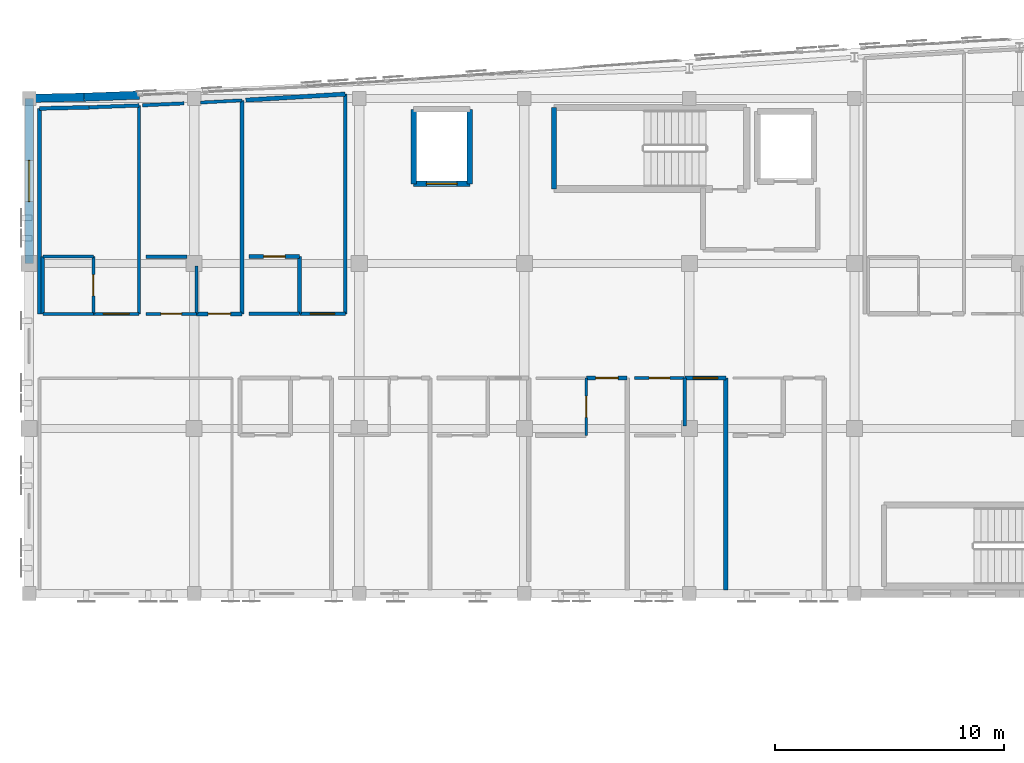
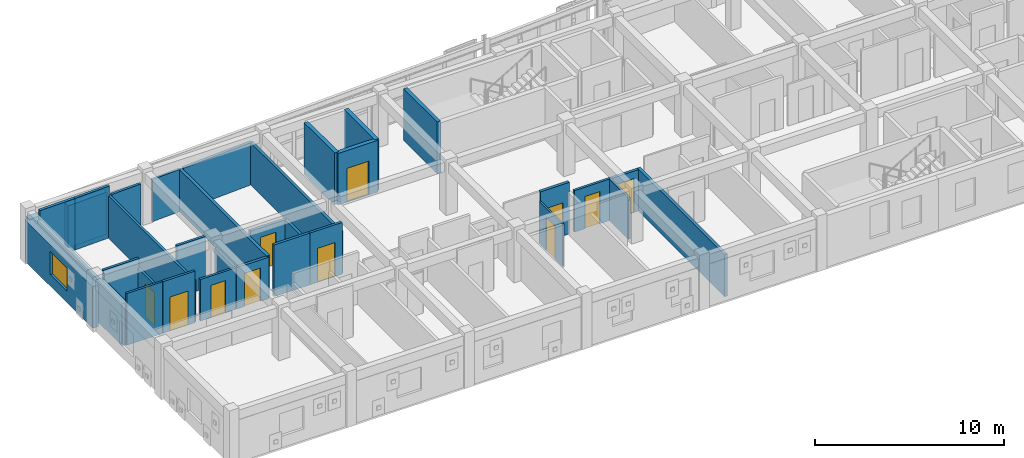
# One storey, part 38 of 50: 35 walls, 11 doors, 1 window, 12 openings.
"""IFC4 building model written with IfcOpenShell, lengths in metres."""

from ifc_helpers import new_model, si_unit, direction, frame, frame_2d, origin, place, context, subcontext, project, spatial, rectangle, extrude, material, layer, layer_set, type_object, element, fill, save


model = new_model("IFC4")

# Units and contexts
model_context = context("Model", 3, precision=1e-05, world=origin(), true_north=direction((0.0, 1.0)))
body_context = subcontext(model_context, "Body", "Model", "MODEL_VIEW")
ifc_project = project(units=[si_unit("LENGTHUNIT", "METRE"), si_unit("AREAUNIT", "SQUARE_METRE"), si_unit("VOLUMEUNIT", "CUBIC_METRE"), si_unit("PLANEANGLEUNIT", "RADIAN"), si_unit("MASSUNIT", "GRAM", prefix="KILO")], contexts=[model_context])

# Site, building, storey
site_placement = place(None, origin())
site = spatial("IfcSite", under=ifc_project, at=site_placement, CompositionType="ELEMENT")
building_placement = place(site_placement, origin())
building = spatial("IfcBuilding", under=site, at=building_placement, Name="Carrowvane Square Congress Hotel", CompositionType="ELEMENT")
storey_placement = place(building_placement, frame((0.0, 0.0, 22.800048828125)))
storey = spatial("IfcBuildingStorey", under=building, at=storey_placement, Name="L05", CompositionType="ELEMENT", Elevation=22.800048828125)

# Walls
ifc_material_1 = material(Name="Glazed terracotta rainscreen", Category="masonry")
ifc_layer_1 = layer(ifc_material_1, 0.360107421875)
ifc_layer_set_1 = layer_set([ifc_layer_1], Name="Glazed terracotta rainscreen")
wall_type_1 = type_object("IfcWallType", Name="WL-EXT-TC360", PredefinedType="STANDARD", material=ifc_layer_set_1)
wall_1_placement = place(storey_placement, frame((33.199951171875, 113.39990234375, 0.0), z_axis=(0.0, 0.0, 1.0), x_axis=(0.999767568547, 0.021559426766, 0.0)))
element("IfcWall", 1, at=wall_1_placement, inside=storey, type_object=wall_type_1, Name="L05 exterior facade wall 451", PredefinedType="STANDARD", context=body_context, shape_type="SweptSolid", body=[
    extrude(rectangle(XDim=2.400634765625, YDim=0.360107421875, at=frame_2d((1.2001953125, 0.0))), origin(), (0.0, 0.0, 1.0), 2.73486328125),
])
wall_2_placement = place(storey_placement, frame((35.60009765625, 113.45166015625, 0.0), z_axis=(0.0, 0.0, 1.0), x_axis=(0.99930757318, 0.037207179225, 0.0)))
element("IfcWall", 2, at=wall_2_placement, inside=storey, type_object=wall_type_1, Name="L05 exterior facade wall 452", PredefinedType="STANDARD", context=body_context, shape_type="SweptSolid", body=[
    extrude(rectangle(XDim=2.401611328125, YDim=0.360107421875, at=frame_2d((1.20068359375, 0.0))), origin(), (0.0, 0.0, 1.0), 2.73486328125),
])

# Wall, opening, window
wall_3_placement = place(storey_placement, frame((33.199951171875, 106.199951171875, 0.0), z_axis=(0.0, 0.0, 1.0), x_axis=(0.0, 1.0, 0.0)))
wall_3 = element("IfcWall", 3, at=wall_3_placement, inside=storey, type_object=wall_type_1, Name="L05 exterior facade wall 478", PredefinedType="STANDARD", context=body_context, shape_type="SweptSolid", body=[
    extrude(rectangle(XDim=7.199951171875, YDim=0.360107421875, at=frame_2d((3.60009765625, 0.0))), origin(), (0.0, 0.0, 1.0), 2.68505859375),
])
opening_1_placement = place(wall_3_placement, frame((2.699951171875, 0.0, 0.75)))
opening_1 = element("IfcOpeningElement", 4, at=opening_1_placement, cuts=wall_3, Name="Opening W-16", PredefinedType="OPENING", context=body_context, shape_type="SweptSolid", body=[
    extrude(rectangle(XDim=1.800048828125, YDim=1.5, at=frame_2d((0.89990234375, 0.75))), frame((0.0, 0.18994140625, 0.0), z_axis=(0.0, -1.0, 0.0), x_axis=(1.0, 0.0, 0.0)), (0.0, 0.0, 1.0), 0.380126953125),
])
ifc_material_2 = material(Name="Double-glazed low-E glass", Category="glass")
window_type = type_object("IfcWindowType", Name="WIN-16", PartitioningType="SINGLE_PANEL", PredefinedType="WINDOW", material=ifc_material_2)
window_placement = place(opening_1_placement, origin())
window = element("IfcWindow", 5, at=window_placement, inside=storey, type_object=window_type, Name="L05 facade window 312", OverallHeight=1.5, OverallWidth=1.800048828125, PartitioningType="SINGLE_PANEL", PredefinedType="WINDOW", context=body_context, shape_type="SweptSolid", body=[
    extrude(rectangle(XDim=1.800048828125, YDim=1.5, at=frame_2d((0.89990234375, 0.75))), frame((0.0, 0.030029296875, 0.0), z_axis=(0.0, -1.0, 0.0), x_axis=(1.0, 0.0, 0.0)), (0.0, 0.0, 1.0), 0.06005859375),
])
fill(opening_1, window)

# Walls
ifc_material_3 = material(Name="Acoustic gypsum board", Category="gypsum")
ifc_layer_2 = layer(ifc_material_3, 0.155029296875)
ifc_layer_set_2 = layer_set([ifc_layer_2], Name="Acoustic gypsum board")
wall_type_2 = type_object("IfcWallType", Name="WL-FIR-155", PredefinedType="PARTITIONING", material=ifc_layer_set_2)
wall_4_placement = place(storey_placement, frame((33.800048828125, 104.0, 0.0), z_axis=(0.0, 0.0, 1.0), x_axis=(0.0, 1.0, 0.0)))
element("IfcWall", 6, at=wall_4_placement, inside=storey, type_object=wall_type_2, Name="L05 En-suite Bathroom 0513 partition", PredefinedType="PARTITIONING", context=body_context, shape_type="SweptSolid", body=[
    extrude(rectangle(XDim=2.5, YDim=0.155029296875, at=frame_2d((1.25, 0.0))), origin(), (0.0, 0.0, 1.0), 2.73486328125),
])
wall_5_placement = place(storey_placement, frame((35.820068359375, 113.010009765625, 0.0), z_axis=(0.0, 0.0, 1.0), x_axis=(0.999311441164, 0.037103147568, 0.0)))
element("IfcWall", 7, at=wall_5_placement, inside=storey, type_object=wall_type_2, Name="L05 Parkview Guest Bedroom 0513 partition", PredefinedType="PARTITIONING", context=body_context, shape_type="SweptSolid", body=[
    extrude(rectangle(XDim=2.17138671875, YDim=0.155029296875, at=frame_2d((1.085693359375, 0.0))), origin(), (0.0, 0.0, 1.0), 3.349853515625),
])
wall_6_placement = place(storey_placement, frame((38.300048828125, 106.5, 0.0), z_axis=(0.0, 0.0, 1.0), x_axis=(1.0, 0.0, 0.0)))
element("IfcWall", 8, at=wall_6_placement, inside=storey, type_object=wall_type_2, Name="L05 En-suite Bathroom 0514 partition", PredefinedType="PARTITIONING", context=body_context, shape_type="SweptSolid", body=[
    extrude(rectangle(XDim=1.7900390625, YDim=0.155029296875, at=frame_2d((0.89501953125, 0.0))), origin(), (0.0, 0.0, 1.0), 3.349853515625),
])
wall_7_placement = place(storey_placement, frame((45.0, 104.0, 0.0), z_axis=(0.0, 0.0, 1.0), x_axis=(-1.0, 0.0, 0.0)))
element("IfcWall", 9, at=wall_7_placement, inside=storey, type_object=wall_type_2, Name="L05 En-suite Bathroom 0515 partition", PredefinedType="PARTITIONING", context=body_context, shape_type="SweptSolid", body=[
    extrude(rectangle(XDim=2.199951171875, YDim=0.155029296875, at=frame_2d((1.10009765625, 0.0))), origin(), (0.0, 0.0, 1.0), 3.349853515625),
])

# Wall, opening, door
wall_8_placement = place(storey_placement, frame((46.989990234375, 104.0, 0.0), z_axis=(0.0, 0.0, 1.0), x_axis=(-1.0, 0.0, 0.0)))
wall_8 = element("IfcWall", 10, at=wall_8_placement, inside=storey, type_object=wall_type_2, Name="L05 Parkview Guest Bedroom 0515 partition", PredefinedType="PARTITIONING", context=body_context, shape_type="SweptSolid", body=[
    extrude(rectangle(XDim=1.97998046875, YDim=0.155029296875, at=frame_2d((0.989990234375, 0.0))), origin(), (0.0, 0.0, 1.0), 3.349853515625),
])
opening_2_placement = place(wall_8_placement, frame((0.4599609375, 0.0, 0.0)))
opening_2 = element("IfcOpeningElement", 11, at=opening_2_placement, cuts=wall_8, Name="Opening FD-09", PredefinedType="OPENING", context=body_context, shape_type="SweptSolid", body=[
    extrude(rectangle(XDim=1.06005859375, YDim=2.199951171875, at=frame_2d((0.530029296875, 1.10009765625))), frame((0.0, 0.08740234375, 0.0), z_axis=(0.0, -1.0, 0.0), x_axis=(1.0, 0.0, 0.0)), (0.0, 0.0, 1.0), 0.175048828125),
])
ifc_material_4 = material(Name="European oak timber", Category="wood")
door_type_1 = type_object("IfcDoorType", Name="DR-FD30-1060x2200", OperationType="NOTDEFINED", PredefinedType="DOOR", material=ifc_material_4)
door_1_placement = place(opening_2_placement, origin())
door_1 = element("IfcDoor", 12, at=door_1_placement, inside=storey, type_object=door_type_1, Name="L05 Parkview Guest Bedroom 0515 entrance door", OperationType="SINGLE_SWING_RIGHT", OverallHeight=2.199951171875, OverallWidth=1.06005859375, PredefinedType="DOOR", context=body_context, shape_type="SweptSolid", body=[
    extrude(rectangle(XDim=1.06005859375, YDim=2.199951171875, at=frame_2d((0.530029296875, 1.10009765625))), frame((0.0, 0.02490234375, 0.0), z_axis=(0.0, -1.0, 0.0), x_axis=(1.0, 0.0, 0.0)), (0.0, 0.0, 1.0), 0.050048828125),
])
fill(opening_2, door_1)

ifc_material_5 = material(Name="Acoustic gypsum board", Category="gypsum")
ifc_layer_3 = layer(ifc_material_5, 0.169921875)
ifc_layer_set_3 = layer_set([ifc_layer_3], Name="Acoustic gypsum board")
wall_type_3 = type_object("IfcWallType", Name="WL-FIR-170", PredefinedType="PARTITIONING", material=ifc_layer_set_3)
wall_9_placement = place(storey_placement, frame((57.510009765625, 101.199951171875, 0.0), z_axis=(0.0, 0.0, 1.0), x_axis=(1.0, 0.0, 0.0)))
wall_9 = element("IfcWall", 13, at=wall_9_placement, inside=storey, type_object=wall_type_3, Name="L05 Hotel Guest Bedroom 0504 partition", PredefinedType="PARTITIONING", context=body_context, shape_type="SweptSolid", body=[
    extrude(rectangle(XDim=1.780029296875, YDim=0.169921875, at=frame_2d((0.89013671875, 0.0))), origin(), (0.0, 0.0, 1.0), 3.349853515625),
])
opening_3_placement = place(wall_9_placement, frame((0.39990234375, 0.0, 0.0)))
opening_3 = element("IfcOpeningElement", 14, at=opening_3_placement, cuts=wall_9, Name="Opening FD-07", PredefinedType="OPENING", context=body_context, shape_type="SweptSolid", body=[
    extrude(rectangle(XDim=0.97998046875, YDim=2.14990234375, at=frame_2d((0.489990234375, 1.074951171875))), frame((0.0, 0.094970703125, 0.0), z_axis=(0.0, -1.0, 0.0), x_axis=(1.0, 0.0, 0.0)), (0.0, 0.0, 1.0), 0.18994140625),
])
ifc_material_6 = material(Name="European oak timber", Category="wood")
door_type_2 = type_object("IfcDoorType", Name="DR-FD30-0980x2150", OperationType="NOTDEFINED", PredefinedType="DOOR", material=ifc_material_6)
door_2_placement = place(opening_3_placement, origin())
door_2 = element("IfcDoor", 15, at=door_2_placement, inside=storey, type_object=door_type_2, Name="L05 Hotel Guest Bedroom 0504 entrance door", OperationType="SINGLE_SWING_RIGHT", OverallHeight=2.14990234375, OverallWidth=0.97998046875, PredefinedType="DOOR", context=body_context, shape_type="SweptSolid", body=[
    extrude(rectangle(XDim=0.97998046875, YDim=2.14990234375, at=frame_2d((0.489990234375, 1.074951171875))), frame((0.0, 0.02490234375, 0.0), z_axis=(0.0, -1.0, 0.0), x_axis=(1.0, 0.0, 0.0)), (0.0, 0.0, 1.0), 0.050048828125),
])
fill(opening_3, door_2)

wall_10_placement = place(storey_placement, frame((61.81005859375, 101.199951171875, 0.0), z_axis=(0.0, 0.0, 1.0), x_axis=(1.0, 0.0, 0.0)))
wall_10 = element("IfcWall", 16, at=wall_10_placement, inside=storey, type_object=wall_type_3, Name="L05 Hotel Guest Bedroom 0505 partition", PredefinedType="PARTITIONING", context=body_context, shape_type="SweptSolid", body=[
    extrude(rectangle(XDim=1.780029296875, YDim=0.169921875, at=frame_2d((0.89013671875, 0.0))), origin(), (0.0, 0.0, 1.0), 2.68505859375),
])
opening_4_placement = place(wall_10_placement, frame((0.360107421875, 0.0, 0.0)))
opening_4 = element("IfcOpeningElement", 17, at=opening_4_placement, cuts=wall_10, Name="Opening FD-09", PredefinedType="OPENING", context=body_context, shape_type="SweptSolid", body=[
    extrude(rectangle(XDim=1.06005859375, YDim=2.199951171875, at=frame_2d((0.530029296875, 1.10009765625))), frame((0.0, 0.094970703125, 0.0), z_axis=(0.0, -1.0, 0.0), x_axis=(1.0, 0.0, 0.0)), (0.0, 0.0, 1.0), 0.18994140625),
])
door_3_placement = place(opening_4_placement, origin())
door_3 = element("IfcDoor", 18, at=door_3_placement, inside=storey, type_object=door_type_1, Name="L05 Hotel Guest Bedroom 0505 entrance door", OperationType="SINGLE_SWING_RIGHT", OverallHeight=2.199951171875, OverallWidth=1.06005859375, PredefinedType="DOOR", context=body_context, shape_type="SweptSolid", body=[
    extrude(rectangle(XDim=1.06005859375, YDim=2.199951171875, at=frame_2d((0.530029296875, 1.10009765625))), frame((0.0, 0.02490234375, 0.0), z_axis=(0.0, -1.0, 0.0), x_axis=(1.0, 0.0, 0.0)), (0.0, 0.0, 1.0), 0.050048828125),
])
fill(opening_4, door_3)

# Wall
wall_11_placement = place(storey_placement, frame((33.64990234375, 112.959716796875, 0.0), z_axis=(0.0, 0.0, 1.0), x_axis=(0.999731574518, 0.023168489633, 0.0)))
element("IfcWall", 19, at=wall_11_placement, inside=storey, type_object=wall_type_3, Name="L05 Parkview Guest Bedroom 0513 partition", PredefinedType="PARTITIONING", context=body_context, shape_type="SweptSolid", body=[
    extrude(rectangle(XDim=2.170654296875, YDim=0.169921875, at=frame_2d((1.08544921875, 0.0))), origin(), (0.0, 0.0, 1.0), 3.349853515625),
])

# Wall, opening, door
wall_12_placement = place(storey_placement, frame((42.489990234375, 104.0, 0.0), z_axis=(0.0, 0.0, 1.0), x_axis=(-1.0, 0.0, 0.0)))
wall_12 = element("IfcWall", 20, at=wall_12_placement, inside=storey, type_object=wall_type_3, Name="L05 Parkview Guest Bedroom 0514 partition", PredefinedType="PARTITIONING", context=body_context, shape_type="SweptSolid", body=[
    extrude(rectangle(XDim=1.97998046875, YDim=0.169921875, at=frame_2d((0.989990234375, 0.0))), origin(), (0.0, 0.0, 1.0), 2.68505859375),
])
opening_5_placement = place(wall_12_placement, frame((0.5, 0.0, 0.0)))
opening_5 = element("IfcOpeningElement", 21, at=opening_5_placement, cuts=wall_12, Name="Opening FD-07", PredefinedType="OPENING", context=body_context, shape_type="SweptSolid", body=[
    extrude(rectangle(XDim=0.97998046875, YDim=2.14990234375, at=frame_2d((0.489990234375, 1.074951171875))), frame((0.0, 0.094970703125, 0.0), z_axis=(0.0, -1.0, 0.0), x_axis=(1.0, 0.0, 0.0)), (0.0, 0.0, 1.0), 0.18994140625),
])
door_4_placement = place(opening_5_placement, origin())
door_4 = element("IfcDoor", 22, at=door_4_placement, inside=storey, type_object=door_type_2, Name="L05 Parkview Guest Bedroom 0514 entrance door", OperationType="SINGLE_SWING_RIGHT", OverallHeight=2.14990234375, OverallWidth=0.97998046875, PredefinedType="DOOR", context=body_context, shape_type="SweptSolid", body=[
    extrude(rectangle(XDim=0.97998046875, YDim=2.14990234375, at=frame_2d((0.489990234375, 1.074951171875))), frame((0.0, 0.02490234375, 0.0), z_axis=(0.0, -1.0, 0.0), x_axis=(1.0, 0.0, 0.0)), (0.0, 0.0, 1.0), 0.050048828125),
])
fill(opening_5, door_4)

# Walls
wall_13_placement = place(storey_placement, frame((45.0, 106.5, 0.0), z_axis=(0.0, 0.0, 1.0), x_axis=(0.0, -1.0, 0.0)))
element("IfcWall", 23, at=wall_13_placement, inside=storey, type_object=wall_type_3, Name="L05 En-suite Bathroom 0515 partition", PredefinedType="PARTITIONING", context=body_context, shape_type="SweptSolid", body=[
    extrude(rectangle(XDim=2.5, YDim=0.169921875, at=frame_2d((1.25, 0.0))), origin(), (0.0, 0.0, 1.0), 2.73486328125),
])
wall_14_placement = place(storey_placement, frame((46.989990234375, 113.586669921875, 0.0), z_axis=(0.0, 0.0, 1.0), x_axis=(0.0, -1.0, 0.0)))
element("IfcWall", 24, at=wall_14_placement, inside=storey, type_object=wall_type_3, Name="L05 Parkview Guest Bedroom 0515 partition", PredefinedType="PARTITIONING", context=body_context, shape_type="SweptSolid", body=[
    extrude(rectangle(XDim=9.586669921875, YDim=0.169921875, at=frame_2d((4.79345703125, 0.0))), origin(), (0.0, 0.0, 1.0), 2.73486328125),
])
ifc_material_7 = material(Name="Acoustic gypsum board", Category="gypsum")
ifc_layer_4 = layer(ifc_material_7, 0.18505859375)
ifc_layer_set_4 = layer_set([ifc_layer_4], Name="Acoustic gypsum board")
wall_type_4 = type_object("IfcWallType", Name="WL-FIR-185", PredefinedType="PARTITIONING", material=ifc_layer_set_4)
wall_15_placement = place(storey_placement, frame((63.590087890625, 101.199951171875, 0.0), z_axis=(0.0, 0.0, 1.0), x_axis=(0.0, -1.0, 0.0)))
element("IfcWall", 25, at=wall_15_placement, inside=storey, type_object=wall_type_4, Name="L05 Hotel Guest Bedroom 0505 partition", PredefinedType="PARTITIONING", context=body_context, shape_type="SweptSolid", body=[
    extrude(rectangle(XDim=9.239990234375, YDim=0.18505859375, at=frame_2d((4.6201171875, 0.0))), origin(), (0.0, 0.0, 1.0), 2.73486328125),
])
wall_16_placement = place(storey_placement, frame((33.64990234375, 104.0, 0.0), z_axis=(0.0, 0.0, 1.0), x_axis=(0.0, 1.0, 0.0)))
element("IfcWall", 26, at=wall_16_placement, inside=storey, type_object=wall_type_4, Name="L05 Parkview Guest Bedroom 0513 partition", PredefinedType="PARTITIONING", context=body_context, shape_type="SweptSolid", body=[
    extrude(rectangle(XDim=8.959716796875, YDim=0.18505859375, at=frame_2d((4.47998046875, 0.0))), origin(), (0.0, 0.0, 1.0), 2.73486328125),
])
wall_17_placement = place(storey_placement, frame((42.489990234375, 113.314697265625, 0.0), z_axis=(0.0, 0.0, 1.0), x_axis=(0.0, -1.0, 0.0)))
element("IfcWall", 27, at=wall_17_placement, inside=storey, type_object=wall_type_4, Name="L05 Parkview Guest Bedroom 0514 partition", PredefinedType="PARTITIONING", context=body_context, shape_type="SweptSolid", body=[
    extrude(rectangle(XDim=9.314697265625, YDim=0.18505859375, at=frame_2d((4.6572265625, 0.0))), origin(), (0.0, 0.0, 1.0), 2.73486328125),
])

# Wall, opening, door
wall_18_placement = place(storey_placement, frame((42.800048828125, 106.5, 0.0), z_axis=(0.0, 0.0, 1.0), x_axis=(1.0, 0.0, 0.0)))
wall_18 = element("IfcWall", 28, at=wall_18_placement, inside=storey, type_object=wall_type_4, Name="L05 En-suite Bathroom 0515 partition", PredefinedType="PARTITIONING", context=body_context, shape_type="SweptSolid", body=[
    extrude(rectangle(XDim=2.199951171875, YDim=0.18505859375, at=frame_2d((1.10009765625, 0.0))), origin(), (0.0, 0.0, 1.0), 2.73486328125),
])
opening_6_placement = place(wall_18_placement, frame((0.6298828125, 0.0, 0.0)))
opening_6 = element("IfcOpeningElement", 29, at=opening_6_placement, cuts=wall_18, Name="Opening ID-04", PredefinedType="OPENING", context=body_context, shape_type="SweptSolid", body=[
    extrude(rectangle(XDim=0.93994140625, YDim=2.1201171875, at=frame_2d((0.469970703125, 1.06005859375))), frame((0.0, 0.1025390625, 0.0), z_axis=(0.0, -1.0, 0.0), x_axis=(1.0, 0.0, 0.0)), (0.0, 0.0, 1.0), 0.205078125),
])
ifc_material_8 = material(Name="European oak timber", Category="wood")
door_type_3 = type_object("IfcDoorType", Name="DR-INT-0940x2120", OperationType="NOTDEFINED", PredefinedType="DOOR", material=ifc_material_8)
door_5_placement = place(opening_6_placement, origin())
door_5 = element("IfcDoor", 30, at=door_5_placement, inside=storey, type_object=door_type_3, Name="L05 En-suite Bathroom 0515 door", OperationType="SINGLE_SWING_LEFT", OverallHeight=2.1201171875, OverallWidth=0.93994140625, PredefinedType="DOOR", context=body_context, shape_type="SweptSolid", body=[
    extrude(rectangle(XDim=0.93994140625, YDim=2.1201171875, at=frame_2d((0.469970703125, 1.06005859375))), frame((0.0, 0.02490234375, 0.0), z_axis=(0.0, -1.0, 0.0), x_axis=(1.0, 0.0, 0.0)), (0.0, 0.0, 1.0), 0.050048828125),
])
fill(opening_6, door_5)

# Wall
wall_19_placement = place(storey_placement, frame((42.64990234375, 113.3232421875, 0.0), z_axis=(0.0, 0.0, 1.0), x_axis=(0.998163047201, 0.060584909036, 0.0)))
element("IfcWall", 31, at=wall_19_placement, inside=storey, type_object=wall_type_4, Name="L05 Parkview Guest Bedroom 0515 partition", PredefinedType="PARTITIONING", context=body_context, shape_type="SweptSolid", body=[
    extrude(rectangle(XDim=4.34814453125, YDim=0.18505859375, at=frame_2d((2.174072265625, 0.0))), origin(), (0.0, 0.0, 1.0), 2.73486328125),
])

# Wall, opening, door
ifc_material_9 = material(Name="Acoustic gypsum board", Category="gypsum")
ifc_layer_5 = layer(ifc_material_9, 0.097900390625)
ifc_layer_set_5 = layer_set([ifc_layer_5], Name="Acoustic gypsum board")
wall_type_5 = type_object("IfcWallType", Name="WL-PRT-098", PredefinedType="PARTITIONING", material=ifc_layer_set_5)
wall_20_placement = place(storey_placement, frame((57.5, 101.199951171875, 0.0), z_axis=(0.0, 0.0, 1.0), x_axis=(0.0, -1.0, 0.0)))
wall_20 = element("IfcWall", 32, at=wall_20_placement, inside=storey, type_object=wall_type_5, Name="L05 En-suite Bathroom 0504 partition", PredefinedType="PARTITIONING", context=body_context, shape_type="SweptSolid", body=[
    extrude(rectangle(XDim=2.5, YDim=0.097900390625, at=frame_2d((1.25, 0.0))), origin(), (0.0, 0.0, 1.0), 2.73486328125),
])
opening_7_placement = place(wall_20_placement, frame((0.784912109375, 0.0, 0.0)))
opening_7 = element("IfcOpeningElement", 33, at=opening_7_placement, cuts=wall_20, Name="Opening ID-18", PredefinedType="OPENING", context=body_context, shape_type="SweptSolid", body=[
    extrude(rectangle(XDim=0.929931640625, YDim=2.1298828125, at=frame_2d((0.46484375, 1.06494140625))), frame((0.0, 0.058837890625, 0.0), z_axis=(0.0, -1.0, 0.0), x_axis=(1.0, 0.0, 0.0)), (0.0, 0.0, 1.0), 0.117919921875),
])
ifc_material_10 = material(Name="European oak timber", Category="wood")
door_type_4 = type_object("IfcDoorType", Name="DR-INT-0930x2130", OperationType="NOTDEFINED", PredefinedType="DOOR", material=ifc_material_10)
door_6_placement = place(opening_7_placement, origin())
door_6 = element("IfcDoor", 34, at=door_6_placement, inside=storey, type_object=door_type_4, Name="L05 En-suite Bathroom 0504 door", OperationType="SINGLE_SWING_LEFT", OverallHeight=2.1298828125, OverallWidth=0.929931640625, PredefinedType="DOOR", context=body_context, shape_type="SweptSolid", body=[
    extrude(rectangle(XDim=0.929931640625, YDim=2.1298828125, at=frame_2d((0.46484375, 1.06494140625))), frame((0.0, 0.02490234375, 0.0), z_axis=(0.0, -1.0, 0.0), x_axis=(1.0, 0.0, 0.0)), (0.0, 0.0, 1.0), 0.050048828125),
])
fill(opening_7, door_6)

# Walls
ifc_material_11 = material(Name="Acoustic gypsum board", Category="gypsum")
ifc_layer_6 = layer(ifc_material_11, 0.1279296875)
ifc_layer_set_6 = layer_set([ifc_layer_6], Name="Acoustic gypsum board")
wall_type_6 = type_object("IfcWallType", Name="WL-PRT-128", PredefinedType="PARTITIONING", material=ifc_layer_set_6)
wall_21_placement = place(storey_placement, frame((36.0, 104.0, 0.0), z_axis=(0.0, 0.0, 1.0), x_axis=(-1.0, 0.0, 0.0)))
element("IfcWall", 35, at=wall_21_placement, inside=storey, type_object=wall_type_6, Name="L05 En-suite Bathroom 0513 partition", PredefinedType="PARTITIONING", context=body_context, shape_type="SweptSolid", body=[
    extrude(rectangle(XDim=2.199951171875, YDim=0.1279296875, at=frame_2d((1.10009765625, 0.0))), origin(), (0.0, 0.0, 1.0), 3.349853515625),
])
ifc_material_12 = material(Name="Acoustic gypsum board", Category="gypsum")
ifc_layer_7 = layer(ifc_material_12, 0.137939453125)
ifc_layer_set_7 = layer_set([ifc_layer_7], Name="Acoustic gypsum board")
wall_type_7 = type_object("IfcWallType", Name="WL-PRT-138", PredefinedType="PARTITIONING", material=ifc_layer_set_7)
wall_22_placement = place(storey_placement, frame((61.800048828125, 101.199951171875, 0.0), z_axis=(0.0, 0.0, 1.0), x_axis=(0.0, -1.0, 0.0)))
element("IfcWall", 36, at=wall_22_placement, inside=storey, type_object=wall_type_7, Name="L05 En-suite Bathroom 0505 partition", PredefinedType="PARTITIONING", context=body_context, shape_type="SweptSolid", body=[
    extrude(rectangle(XDim=2.08984375, YDim=0.137939453125, at=frame_2d((1.044921875, 0.0))), origin(), (0.0, 0.0, 1.0), 2.68505859375),
])

# Wall, opening, door
wall_23_placement = place(storey_placement, frame((36.0, 106.5, 0.0), z_axis=(0.0, 0.0, 1.0), x_axis=(0.0, -1.0, 0.0)))
wall_23 = element("IfcWall", 37, at=wall_23_placement, inside=storey, type_object=wall_type_7, Name="L05 En-suite Bathroom 0513 partition", PredefinedType="PARTITIONING", context=body_context, shape_type="SweptSolid", body=[
    extrude(rectangle(XDim=2.5, YDim=0.137939453125, at=frame_2d((1.25, 0.0))), origin(), (0.0, 0.0, 1.0), 2.73486328125),
])
opening_8_placement = place(wall_23_placement, frame((0.784912109375, 0.0, 0.0)))
opening_8 = element("IfcOpeningElement", 38, at=opening_8_placement, cuts=wall_23, Name="Opening ID-18", PredefinedType="OPENING", context=body_context, shape_type="SweptSolid", body=[
    extrude(rectangle(XDim=0.929931640625, YDim=2.1298828125, at=frame_2d((0.46484375, 1.06494140625))), frame((0.0, 0.078857421875, 0.0), z_axis=(0.0, -1.0, 0.0), x_axis=(1.0, 0.0, 0.0)), (0.0, 0.0, 1.0), 0.157958984375),
])
door_7_placement = place(opening_8_placement, origin())
door_7 = element("IfcDoor", 39, at=door_7_placement, inside=storey, type_object=door_type_4, Name="L05 En-suite Bathroom 0513 door", OperationType="SINGLE_SWING_LEFT", OverallHeight=2.1298828125, OverallWidth=0.929931640625, PredefinedType="DOOR", context=body_context, shape_type="SweptSolid", body=[
    extrude(rectangle(XDim=0.929931640625, YDim=2.1298828125, at=frame_2d((0.46484375, 1.06494140625))), frame((0.0, 0.02490234375, 0.0), z_axis=(0.0, -1.0, 0.0), x_axis=(1.0, 0.0, 0.0)), (0.0, 0.0, 1.0), 0.050048828125),
])
fill(opening_8, door_7)

wall_24_placement = place(storey_placement, frame((37.989990234375, 104.0, 0.0), z_axis=(0.0, 0.0, 1.0), x_axis=(-1.0, 0.0, 0.0)))
wall_24 = element("IfcWall", 40, at=wall_24_placement, inside=storey, type_object=wall_type_7, Name="L05 Parkview Guest Bedroom 0513 partition", PredefinedType="PARTITIONING", context=body_context, shape_type="SweptSolid", body=[
    extrude(rectangle(XDim=1.97998046875, YDim=0.137939453125, at=frame_2d((0.989990234375, 0.0))), origin(), (0.0, 0.0, 1.0), 3.349853515625),
])
opening_9_placement = place(wall_24_placement, frame((0.429931640625, 0.0, 0.0)))
opening_9 = element("IfcOpeningElement", 41, at=opening_9_placement, cuts=wall_24, Name="Opening FD-10", PredefinedType="OPENING", context=body_context, shape_type="SweptSolid", body=[
    extrude(rectangle(XDim=1.1201171875, YDim=2.199951171875, at=frame_2d((0.56005859375, 1.10009765625))), frame((0.0, 0.078857421875, 0.0), z_axis=(0.0, -1.0, 0.0), x_axis=(1.0, 0.0, 0.0)), (0.0, 0.0, 1.0), 0.157958984375),
])
ifc_material_13 = material(Name="European oak timber", Category="wood")
door_type_5 = type_object("IfcDoorType", Name="DR-FD30-1120x2200", OperationType="NOTDEFINED", PredefinedType="DOOR", material=ifc_material_13)
door_8_placement = place(opening_9_placement, origin())
door_8 = element("IfcDoor", 42, at=door_8_placement, inside=storey, type_object=door_type_5, Name="L05 Parkview Guest Bedroom 0513 entrance door", OperationType="SINGLE_SWING_RIGHT", OverallHeight=2.199951171875, OverallWidth=1.1201171875, PredefinedType="DOOR", context=body_context, shape_type="SweptSolid", body=[
    extrude(rectangle(XDim=1.1201171875, YDim=2.199951171875, at=frame_2d((0.56005859375, 1.10009765625))), frame((0.0, 0.02490234375, 0.0), z_axis=(0.0, -1.0, 0.0), x_axis=(1.0, 0.0, 0.0)), (0.0, 0.0, 1.0), 0.050048828125),
])
fill(opening_9, door_8)

wall_25_placement = place(storey_placement, frame((40.5, 104.0, 0.0), z_axis=(0.0, 0.0, 1.0), x_axis=(-1.0, 0.0, 0.0)))
wall_25 = element("IfcWall", 43, at=wall_25_placement, inside=storey, type_object=wall_type_7, Name="L05 En-suite Bathroom 0514 partition", PredefinedType="PARTITIONING", context=body_context, shape_type="SweptSolid", body=[
    extrude(rectangle(XDim=2.199951171875, YDim=0.137939453125, at=frame_2d((1.10009765625, 0.0))), origin(), (0.0, 0.0, 1.0), 2.68505859375),
])
opening_10_placement = place(wall_25_placement, frame((0.64990234375, 0.0, 0.0)))
opening_10 = element("IfcOpeningElement", 44, at=opening_10_placement, cuts=wall_25, Name="Opening ID-02", PredefinedType="OPENING", context=body_context, shape_type="SweptSolid", body=[
    extrude(rectangle(XDim=0.89990234375, YDim=2.080078125, at=frame_2d((0.449951171875, 1.0400390625))), frame((0.0, 0.078857421875, 0.0), z_axis=(0.0, -1.0, 0.0), x_axis=(1.0, 0.0, 0.0)), (0.0, 0.0, 1.0), 0.157958984375),
])
ifc_material_14 = material(Name="European oak timber", Category="wood")
door_type_6 = type_object("IfcDoorType", Name="DR-INT-0900x2080", OperationType="NOTDEFINED", PredefinedType="DOOR", material=ifc_material_14)
door_9_placement = place(opening_10_placement, origin())
door_9 = element("IfcDoor", 45, at=door_9_placement, inside=storey, type_object=door_type_6, Name="L05 En-suite Bathroom 0514 door", OperationType="SINGLE_SWING_LEFT", OverallHeight=2.080078125, OverallWidth=0.89990234375, PredefinedType="DOOR", context=body_context, shape_type="SweptSolid", body=[
    extrude(rectangle(XDim=0.89990234375, YDim=2.080078125, at=frame_2d((0.449951171875, 1.0400390625))), frame((0.0, 0.02490234375, 0.0), z_axis=(0.0, -1.0, 0.0), x_axis=(1.0, 0.0, 0.0)), (0.0, 0.0, 1.0), 0.050048828125),
])
fill(opening_10, door_9)

# Wall
wall_26_placement = place(storey_placement, frame((40.679443359375, 113.21826171875, 0.0), z_axis=(0.0, 0.0, 1.0), x_axis=(0.998584526013, 0.053187821976, 0.0)))
element("IfcWall", 46, at=wall_26_placement, inside=storey, type_object=wall_type_7, Name="L05 Parkview Guest Bedroom 0514 partition", PredefinedType="PARTITIONING", context=body_context, shape_type="SweptSolid", body=[
    extrude(rectangle(XDim=1.813232421875, YDim=0.137939453125, at=frame_2d((0.90673828125, 0.0))), origin(), (0.0, 0.0, 1.0), 2.73486328125),
])

# Wall, opening, door
ifc_material_15 = material(Name="Acoustic gypsum board", Category="gypsum")
ifc_layer_8 = layer(ifc_material_15, 0.14794921875)
ifc_layer_set_8 = layer_set([ifc_layer_8], Name="Acoustic gypsum board")
wall_type_8 = type_object("IfcWallType", Name="WL-PRT-148", PredefinedType="PARTITIONING", material=ifc_layer_set_8)
wall_27_placement = place(storey_placement, frame((59.60009765625, 101.199951171875, 0.0), z_axis=(0.0, 0.0, 1.0), x_axis=(1.0, 0.0, 0.0)))
wall_27 = element("IfcWall", 47, at=wall_27_placement, inside=storey, type_object=wall_type_8, Name="L05 En-suite Bathroom 0505 partition", PredefinedType="PARTITIONING", context=body_context, shape_type="SweptSolid", body=[
    extrude(rectangle(XDim=2.199951171875, YDim=0.14794921875, at=frame_2d((1.10009765625, 0.0))), origin(), (0.0, 0.0, 1.0), 2.68505859375),
])
opening_11_placement = place(wall_27_placement, frame((0.64990234375, 0.0, 0.0)))
opening_11 = element("IfcOpeningElement", 48, at=opening_11_placement, cuts=wall_27, Name="Opening ID-02", PredefinedType="OPENING", context=body_context, shape_type="SweptSolid", body=[
    extrude(rectangle(XDim=0.89990234375, YDim=2.080078125, at=frame_2d((0.449951171875, 1.0400390625))), frame((0.0, 0.083984375, 0.0), z_axis=(0.0, -1.0, 0.0), x_axis=(1.0, 0.0, 0.0)), (0.0, 0.0, 1.0), 0.16796875),
])
door_10_placement = place(opening_11_placement, origin())
door_10 = element("IfcDoor", 49, at=door_10_placement, inside=storey, type_object=door_type_6, Name="L05 En-suite Bathroom 0505 door", OperationType="SINGLE_SWING_LEFT", OverallHeight=2.080078125, OverallWidth=0.89990234375, PredefinedType="DOOR", context=body_context, shape_type="SweptSolid", body=[
    extrude(rectangle(XDim=0.89990234375, YDim=2.080078125, at=frame_2d((0.449951171875, 1.0400390625))), frame((0.0, 0.02490234375, 0.0), z_axis=(0.0, -1.0, 0.0), x_axis=(1.0, 0.0, 0.0)), (0.0, 0.0, 1.0), 0.050048828125),
])
fill(opening_11, door_10)

# Walls
wall_28_placement = place(storey_placement, frame((33.800048828125, 106.5, 0.0), z_axis=(0.0, 0.0, 1.0), x_axis=(1.0, 0.0, 0.0)))
element("IfcWall", 50, at=wall_28_placement, inside=storey, type_object=wall_type_8, Name="L05 En-suite Bathroom 0513 partition", PredefinedType="PARTITIONING", context=body_context, shape_type="SweptSolid", body=[
    extrude(rectangle(XDim=2.199951171875, YDim=0.14794921875, at=frame_2d((1.10009765625, 0.0))), origin(), (0.0, 0.0, 1.0), 3.349853515625),
])
wall_29_placement = place(storey_placement, frame((37.989990234375, 113.090576171875, 0.0), z_axis=(0.0, 0.0, 1.0), x_axis=(0.0, -1.0, 0.0)))
element("IfcWall", 51, at=wall_29_placement, inside=storey, type_object=wall_type_8, Name="L05 Parkview Guest Bedroom 0513 partition", PredefinedType="PARTITIONING", context=body_context, shape_type="SweptSolid", body=[
    extrude(rectangle(XDim=9.090576171875, YDim=0.14794921875, at=frame_2d((4.54541015625, 0.0))), origin(), (0.0, 0.0, 1.0), 2.73486328125),
])
wall_30_placement = place(storey_placement, frame((40.5, 106.090087890625, 0.0), z_axis=(0.0, 0.0, 1.0), x_axis=(0.0, -1.0, 0.0)))
element("IfcWall", 52, at=wall_30_placement, inside=storey, type_object=wall_type_8, Name="L05 En-suite Bathroom 0514 partition", PredefinedType="PARTITIONING", context=body_context, shape_type="SweptSolid", body=[
    extrude(rectangle(XDim=2.090087890625, YDim=0.14794921875, at=frame_2d((1.044921875, 0.0))), origin(), (0.0, 0.0, 1.0), 2.68505859375),
])
wall_31_placement = place(storey_placement, frame((38.14990234375, 113.097900390625, 0.0), z_axis=(0.0, 0.0, 1.0), x_axis=(0.998913388126, 0.046605182348, 0.0)))
element("IfcWall", 53, at=wall_31_placement, inside=storey, type_object=wall_type_8, Name="L05 Parkview Guest Bedroom 0514 partition", PredefinedType="PARTITIONING", context=body_context, shape_type="SweptSolid", body=[
    extrude(rectangle(XDim=1.8125, YDim=0.14794921875, at=frame_2d((0.90625, 0.0))), origin(), (0.0, 0.0, 1.0), 2.73486328125),
])
ifc_material_16 = material(Name="Concrete C40/50", Category="concrete")
ifc_layer_9 = layer(ifc_material_16, 0.22509765625)
ifc_layer_set_9 = layer_set([ifc_layer_9], Name="Concrete C40/50")
wall_type_9 = type_object("IfcWallType", Name="WL-SHR-225", PredefinedType="SHEAR", material=ifc_layer_set_9)
wall_32_placement = place(storey_placement, frame((56.10009765625, 113.0, 0.0), z_axis=(0.0, 0.0, 1.0), x_axis=(0.0, -1.0, 0.0)))
element("IfcWall", 54, at=wall_32_placement, inside=storey, type_object=wall_type_9, Name="L05 ST1 core wall west", PredefinedType="SHEAR", context=body_context, shape_type="SweptSolid", body=[
    extrude(rectangle(XDim=3.56005859375, YDim=0.22509765625, at=frame_2d((1.780029296875, 0.0))), origin(), (0.0, 0.0, 1.0), 3.349853515625),
])

# Wall, opening, door
ifc_material_17 = material(Name="Concrete C40/50", Category="concrete")
ifc_layer_10 = layer(ifc_material_17, 0.25)
ifc_layer_set_10 = layer_set([ifc_layer_10], Name="Concrete C40/50")
wall_type_10 = type_object("IfcWallType", Name="WL-SHR-250", PredefinedType="SHEAR", material=ifc_layer_set_10)
wall_33_placement = place(storey_placement, frame((49.97509765625, 109.675048828125, 0.0), z_axis=(0.0, 0.0, 1.0), x_axis=(1.0, 0.0, 0.0)))
wall_33 = element("IfcWall", 55, at=wall_33_placement, inside=storey, type_object=wall_type_10, Name="L05 SL-1 shaft wall south", PredefinedType="SHEAR", context=body_context, shape_type="SweptSolid", body=[
    extrude(rectangle(XDim=2.449951171875, YDim=0.25, at=frame_2d((1.22509765625, 0.0))), origin(), (0.0, 0.0, 1.0), 3.349853515625),
])
opening_12_placement = place(wall_33_placement, frame((0.550048828125, 0.0, 0.0)))
opening_12 = element("IfcOpeningElement", 56, at=opening_12_placement, cuts=wall_33, Name="Opening LD-SL-1", PredefinedType="OPENING", context=body_context, shape_type="SweptSolid", body=[
    extrude(rectangle(XDim=1.35009765625, YDim=2.199951171875, at=frame_2d((0.675048828125, 1.10009765625))), frame((0.0, 0.135009765625, 0.0), z_axis=(0.0, -1.0, 0.0), x_axis=(1.0, 0.0, 0.0)), (0.0, 0.0, 1.0), 0.27001953125),
])
ifc_material_18 = material(Name="Stainless steel 316", Category="steel")
door_type_7 = type_object("IfcDoorType", Name="DR-LD-1350x2200", OperationType="DOUBLE_DOOR_SLIDING", PredefinedType="DOOR", material=ifc_material_18)
door_11_placement = place(opening_12_placement, origin())
door_11 = element("IfcDoor", 57, at=door_11_placement, inside=storey, type_object=door_type_7, Name="L05 SL-1 sliding lift landing door", OperationType="DOUBLE_DOOR_SLIDING", OverallHeight=2.199951171875, OverallWidth=1.35009765625, PredefinedType="DOOR", context=body_context, shape_type="SweptSolid", body=[
    extrude(rectangle(XDim=1.35009765625, YDim=2.199951171875, at=frame_2d((0.675048828125, 1.10009765625))), frame((0.0, 0.02490234375, 0.0), z_axis=(0.0, -1.0, 0.0), x_axis=(1.0, 0.0, 0.0)), (0.0, 0.0, 1.0), 0.050048828125),
])
fill(opening_12, door_11)

# Walls
for number, where, z_axis, x_axis, name in (
    (58, (52.425048828125, 109.675048828125, 0.0), (0.0, 0.0, 1.0), (0.0, 1.0, 0.0), "L05 SL-1 shaft wall east"),
    (59, (49.97509765625, 112.925048828125, 0.0), (0.0, 0.0, 1.0), (0.0, -1.0, 0.0), "L05 SL-1 shaft wall west"),
):
    element("IfcWall", number, at=place(storey_placement, frame(where, z_axis=z_axis, x_axis=x_axis)), inside=storey, type_object=wall_type_10, Name=name, PredefinedType="SHEAR", context=body_context, shape_type="SweptSolid", body=[
        extrude(rectangle(XDim=3.25, YDim=0.25, at=frame_2d((1.625, 0.0))), origin(), (0.0, 0.0, 1.0), 3.349853515625),
    ])

save(model, "model.ifc")
